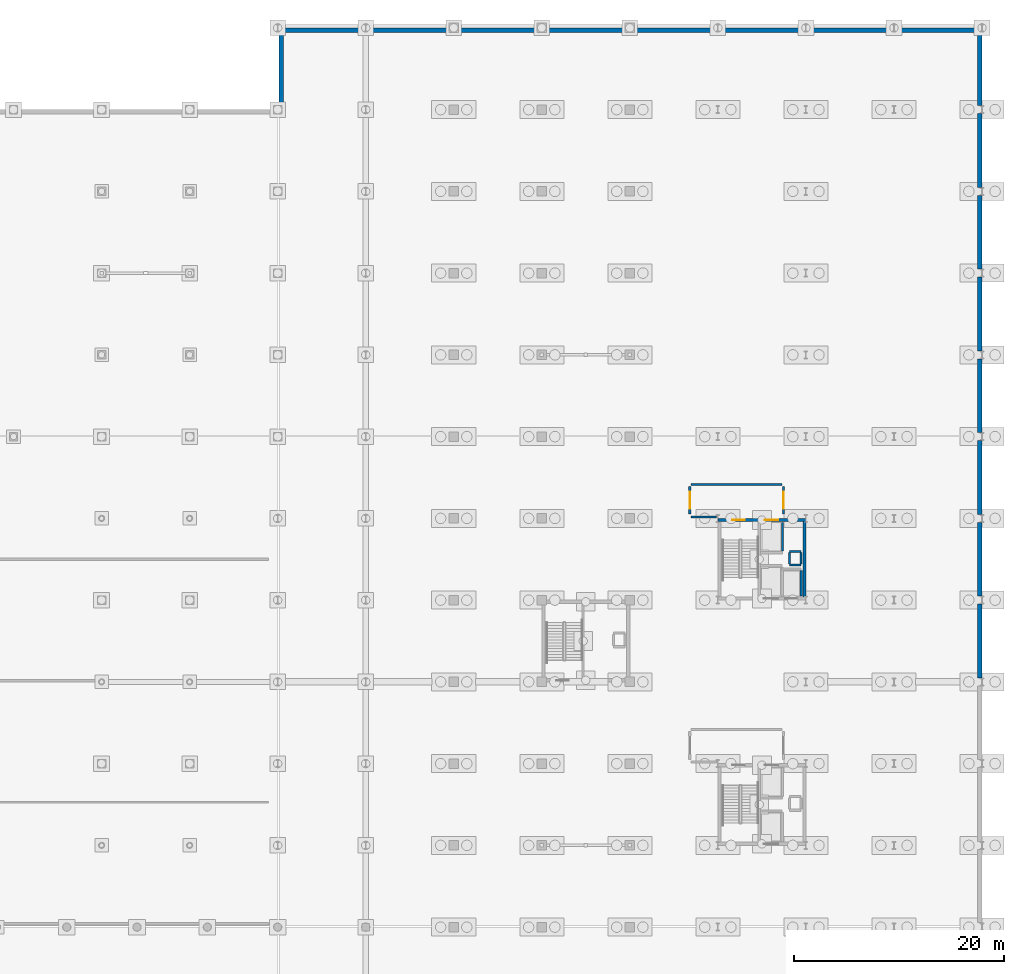
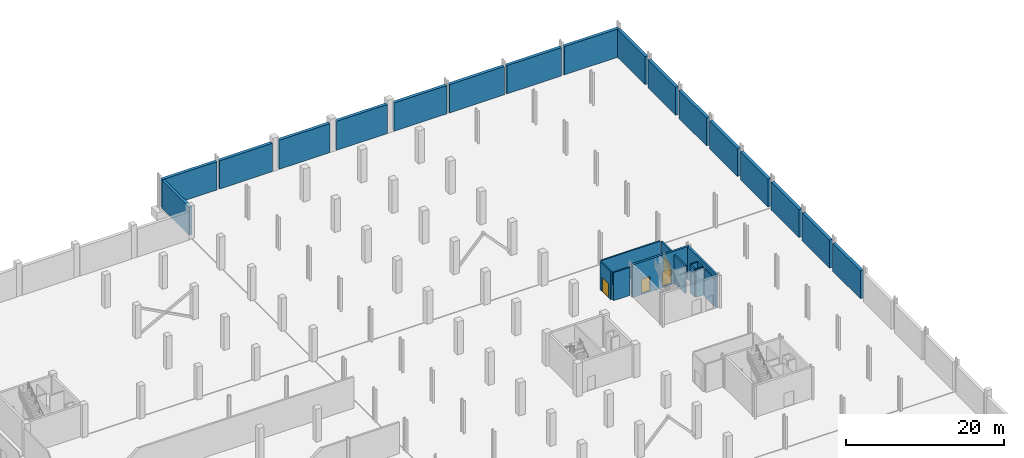
# One storey, part 34 of 48: 29 walls, 4 doors, 4 openings.
"""IFC4 building model written with IfcOpenShell, lengths in metres."""

from ifc_helpers import new_model, si_unit, direction, frame, frame_2d, origin, place, context, subcontext, project, spatial, rectangle, extrude, material, layer, layer_set, type_object, element, fill, save


model = new_model("IFC4")

# Units and contexts
model_context = context("Model", 3, precision=1e-05, world=origin(), true_north=direction((0.0, 1.0)))
body_context = subcontext(model_context, "Body", "Model", "MODEL_VIEW")
ifc_project = project(units=[si_unit("LENGTHUNIT", "METRE"), si_unit("AREAUNIT", "SQUARE_METRE"), si_unit("VOLUMEUNIT", "CUBIC_METRE"), si_unit("PLANEANGLEUNIT", "RADIAN"), si_unit("MASSUNIT", "GRAM", prefix="KILO")], contexts=[model_context])

# Site, building, storey
site_placement = place(None, origin())
site = spatial("IfcSite", under=ifc_project, at=site_placement, CompositionType="ELEMENT")
building_placement = place(site_placement, origin())
building = spatial("IfcBuilding", under=site, at=building_placement, Name="Nabrawat Pavilion Hospital", CompositionType="ELEMENT")
storey_placement = place(building_placement, frame((0.0, 0.0, -5.10009765625)))
storey = spatial("IfcBuildingStorey", under=building, at=storey_placement, Name="B1", CompositionType="ELEMENT", Elevation=-5.10009765625)

# Walls
ifc_material_1 = material(Name="Concrete C35/45", Category="concrete")
ifc_layer_1 = layer(ifc_material_1, 0.43994140625, Name="Concrete C35/45")
ifc_layer_set_1 = layer_set([ifc_layer_1], Name="Concrete C35/45")
wall_type_1 = type_object("IfcWallType", Name="Basement Deep RC Retaining Wall 440", PredefinedType="USERDEFINED", material=ifc_layer_set_1)
wall_1_placement = place(storey_placement, frame((126.18994140625, 124.580078125, 0.0), z_axis=(0.0, 0.0, 1.0), x_axis=(1.0, 0.0, 0.0)))
element("IfcWall", 1, at=wall_1_placement, inside=storey, type_object=wall_type_1, Name="B1 Perimeter Retaining Wall 061", ObjectType="RETAININGWALL", PredefinedType="USERDEFINED", context=body_context, shape_type="SweptSolid", body=[
    extrude(rectangle(XDim=8.02001953125, YDim=0.43994140625, at=frame_2d((4.010009765625, 0.0))), origin(), (0.0, 0.0, 1.0), 4.380126953125),
])
wall_2_placement = place(storey_placement, frame((134.590087890625, 124.580078125, 0.0), z_axis=(0.0, 0.0, 1.0), x_axis=(1.0, 0.0, 0.0)))
element("IfcWall", 2, at=wall_2_placement, inside=storey, type_object=wall_type_1, Name="B1 Perimeter Retaining Wall 062", ObjectType="RETAININGWALL", PredefinedType="USERDEFINED", context=body_context, shape_type="SweptSolid", body=[
    extrude(rectangle(XDim=7.719970703125, YDim=0.43994140625, at=frame_2d((3.85986328125, 0.0))), origin(), (0.0, 0.0, 1.0), 4.380126953125),
])
wall_3_placement = place(storey_placement, frame((143.2900390625, 124.580078125, 0.0), z_axis=(0.0, 0.0, 1.0), x_axis=(1.0, 0.0, 0.0)))
element("IfcWall", 3, at=wall_3_placement, inside=storey, type_object=wall_type_1, Name="B1 Perimeter Retaining Wall 063", ObjectType="RETAININGWALL", PredefinedType="USERDEFINED", context=body_context, shape_type="SweptSolid", body=[
    extrude(rectangle(XDim=7.419921875, YDim=0.43994140625, at=frame_2d((3.7099609375, 0.0))), origin(), (0.0, 0.0, 1.0), 4.489990234375),
])
wall_4_placement = place(storey_placement, frame((151.68994140625, 124.580078125, 0.0), z_axis=(0.0, 0.0, 1.0), x_axis=(1.0, 0.0, 0.0)))
element("IfcWall", 4, at=wall_4_placement, inside=storey, type_object=wall_type_1, Name="B1 Perimeter Retaining Wall 064", ObjectType="RETAININGWALL", PredefinedType="USERDEFINED", context=body_context, shape_type="SweptSolid", body=[
    extrude(rectangle(XDim=7.420166015625, YDim=0.43994140625, at=frame_2d((3.7099609375, 0.0))), origin(), (0.0, 0.0, 1.0), 4.489990234375),
])
wall_5_placement = place(storey_placement, frame((160.090087890625, 124.580078125, 0.0), z_axis=(0.0, 0.0, 1.0), x_axis=(1.0, 0.0, 0.0)))
element("IfcWall", 5, at=wall_5_placement, inside=storey, type_object=wall_type_1, Name="B1 Perimeter Retaining Wall 065", ObjectType="RETAININGWALL", PredefinedType="USERDEFINED", context=body_context, shape_type="SweptSolid", body=[
    extrude(rectangle(XDim=7.719970703125, YDim=0.43994140625, at=frame_2d((3.85986328125, 0.0))), origin(), (0.0, 0.0, 1.0), 4.380126953125),
])
for number, where, z_axis, x_axis, name in (
    (6, (168.18994140625, 124.580078125, 0.0), (0.0, 0.0, 1.0), (1.0, 0.0, 0.0), "B1 Perimeter Retaining Wall 066"),
    (7, (176.590087890625, 124.580078125, 0.0), (0.0, 0.0, 1.0), (1.0, 0.0, 0.0), "B1 Perimeter Retaining Wall 067"),
    (8, (184.989990234375, 124.580078125, 0.0), (0.0, 0.0, 1.0), (1.0, 0.0, 0.0), "B1 Perimeter Retaining Wall 068"),
):
    element("IfcWall", number, at=place(storey_placement, frame(where, z_axis=z_axis, x_axis=x_axis)), inside=storey, type_object=wall_type_1, Name=name, ObjectType="RETAININGWALL", PredefinedType="USERDEFINED", context=body_context, shape_type="SweptSolid", body=[
        extrude(rectangle(XDim=8.02001953125, YDim=0.43994140625, at=frame_2d((4.010009765625, 0.0))), origin(), (0.0, 0.0, 1.0), 4.380126953125),
    ])
for number, where, z_axis, x_axis, name in (
    (9, (192.97998046875, 62.7900390625, 0.0), (0.0, 0.0, 1.0), (0.0, 1.0, 0.0), "B1 Perimeter Retaining Wall 077"),
    (10, (192.97998046875, 70.590087890625, 0.0), (0.0, 0.0, 1.0), (0.0, 1.0, 0.0), "B1 Perimeter Retaining Wall 078"),
    (11, (192.97998046875, 78.389892578125, 0.0), (0.0, 0.0, 1.0), (0.0, 1.0, 0.0), "B1 Perimeter Retaining Wall 079"),
    (12, (192.97998046875, 86.18994140625, 0.0), (0.0, 0.0, 1.0), (0.0, 1.0, 0.0), "B1 Perimeter Retaining Wall 080"),
    (13, (192.97998046875, 93.989990234375, 0.0), (0.0, 0.0, 1.0), (0.0, 1.0, 0.0), "B1 Perimeter Retaining Wall 081"),
    (14, (192.97998046875, 101.7900390625, 0.0), (0.0, 0.0, 1.0), (0.0, 1.0, 0.0), "B1 Perimeter Retaining Wall 082"),
    (15, (192.97998046875, 109.590087890625, 0.0), (0.0, 0.0, 1.0), (0.0, 1.0, 0.0), "B1 Perimeter Retaining Wall 083"),
):
    element("IfcWall", number, at=place(storey_placement, frame(where, z_axis=z_axis, x_axis=x_axis)), inside=storey, type_object=wall_type_1, Name=name, ObjectType="RETAININGWALL", PredefinedType="USERDEFINED", context=body_context, shape_type="SweptSolid", body=[
        extrude(rectangle(XDim=7.02001953125, YDim=0.43994140625, at=frame_2d((3.510009765625, 0.0))), origin(), (0.0, 0.0, 1.0), 4.330078125),
    ])
wall_6_placement = place(storey_placement, frame((192.97998046875, 117.389892578125, 0.0), z_axis=(0.0, 0.0, 1.0), x_axis=(0.0, 1.0, 0.0)))
element("IfcWall", 16, at=wall_6_placement, inside=storey, type_object=wall_type_1, Name="B1 Perimeter Retaining Wall 084", ObjectType="RETAININGWALL", PredefinedType="USERDEFINED", context=body_context, shape_type="SweptSolid", body=[
    extrude(rectangle(XDim=6.97021484375, YDim=0.43994140625, at=frame_2d((3.485107421875, 0.0))), origin(), (0.0, 0.0, 1.0), 4.330078125),
])
ifc_layer_2 = layer(ifc_material_1, 0.39990234375, Name="Concrete C35/45")
ifc_layer_set_2 = layer_set([ifc_layer_2], Name="Concrete C35/45")
wall_type_2 = type_object("IfcWallType", Name="Basement RC Retaining Wall 400", PredefinedType="USERDEFINED", material=ifc_layer_set_2)
wall_7_placement = place(storey_placement, frame((126.340087890625, 117.43994140625, 0.0), z_axis=(0.0, 0.0, 1.0), x_axis=(0.0, 1.0, 0.0)))
element("IfcWall", 17, at=wall_7_placement, inside=storey, type_object=wall_type_2, Name="B1 Perimeter Retaining Wall 060", ObjectType="RETAININGWALL", PredefinedType="USERDEFINED", context=body_context, shape_type="SweptSolid", body=[
    extrude(rectangle(XDim=6.920166015625, YDim=0.39990234375, at=frame_2d((3.4599609375, 0.0))), origin(), (0.0, 0.0, 1.0), 4.330078125),
])
ifc_layer_3 = layer(ifc_material_1, 0.199951171875, Name="Concrete C35/45")
ifc_layer_set_3 = layer_set([ifc_layer_3], Name="Concrete C35/45")
wall_type_3 = type_object("IfcWallType", Name="Firefighting Lobby Compartment Wall 200", PredefinedType="PARTITIONING", material=ifc_layer_set_3)
wall_8_placement = place(storey_placement, frame((165.43994140625, 78.14990234375, 0.0), z_axis=(0.0, 0.0, 1.0), x_axis=(1.0, 0.0, 0.0)))
element("IfcWall", 18, at=wall_8_placement, inside=storey, type_object=wall_type_3, Name="B1 CORE-6 Firefighting Lobby South Return Wall", PredefinedType="PARTITIONING", context=body_context, shape_type="SweptSolid", body=[
    extrude(rectangle(XDim=2.43994140625, YDim=0.199951171875, at=frame_2d((1.219970703125, 0.0))), origin(), (0.0, 0.0, 1.0), 4.330078125),
])
wall_9_placement = place(storey_placement, frame((165.43994140625, 81.25, 0.0), z_axis=(0.0, 0.0, 1.0), x_axis=(1.0, 0.0, 0.0)))
element("IfcWall", 19, at=wall_9_placement, inside=storey, type_object=wall_type_3, Name="B1 CORE-6 Firefighting Lobby North Compartment Wall", PredefinedType="PARTITIONING", context=body_context, shape_type="SweptSolid", body=[
    extrude(rectangle(XDim=8.66015625, YDim=0.199951171875, at=frame_2d((4.330078125, 0.0))), origin(), (0.0, 0.0, 1.0), 4.330078125),
])

# Wall, opening, door
wall_10_placement = place(storey_placement, frame((165.320068359375, 78.39990234375, 0.0), z_axis=(0.0, 0.0, 1.0), x_axis=(0.0, 1.0, 0.0)))
wall_10 = element("IfcWall", 20, at=wall_10_placement, inside=storey, type_object=wall_type_3, Name="B1 CORE-6 Firefighting Lobby West Compartment Wall", PredefinedType="PARTITIONING", context=body_context, shape_type="SweptSolid", body=[
    extrude(rectangle(XDim=2.650146484375, YDim=0.199951171875, at=frame_2d((1.3251953125, 0.0))), origin(), (0.0, 0.0, 1.0), 4.330078125),
])
opening_1_placement = place(wall_10_placement, frame((0.52490234375, 0.0, 0.0)))
opening_1 = element("IfcOpeningElement", 21, at=opening_1_placement, cuts=wall_10, Name="Opening D-FFL", PredefinedType="OPENING", context=body_context, shape_type="SweptSolid", body=[
    extrude(rectangle(XDim=1.60009765625, YDim=2.199951171875, at=frame_2d((0.800048828125, 1.10009765625))), frame((0.0, 0.10986328125, 0.0), z_axis=(0.0, -1.0, 0.0), x_axis=(1.0, 0.0, 0.0)), (0.0, 0.0, 1.0), 0.219970703125),
])
ifc_material_2 = material(Name="Stainless-Clad Acoustic Timber and Vision Glass", Category="wood")
door_type_1 = type_object("IfcDoorType", Name="D-FFL Firefighting Lobby Double Smoke Door 1600x2200", OperationType="NOTDEFINED", PredefinedType="DOOR", material=ifc_material_2)
door_1_placement = place(opening_1_placement, origin())
door_1 = element("IfcDoor", 22, at=door_1_placement, inside=storey, type_object=door_type_1, Name="B1 CORE-6 Firefighting Lobby West Smoke Door", OperationType="DOUBLE_DOOR_SINGLE_SWING", OverallHeight=2.199951171875, OverallWidth=1.60009765625, PredefinedType="DOOR", context=body_context, shape_type="SweptSolid", body=[
    extrude(rectangle(XDim=1.60009765625, YDim=2.199951171875, at=frame_2d((0.800048828125, 1.10009765625))), frame((0.0, 0.02490234375, 0.0), z_axis=(0.0, -1.0, 0.0), x_axis=(1.0, 0.0, 0.0)), (0.0, 0.0, 1.0), 0.050048828125),
])
fill(opening_1, door_1)

wall_11_placement = place(storey_placement, frame((174.25, 78.39990234375, 0.0), z_axis=(0.0, 0.0, 1.0), x_axis=(0.0, 1.0, 0.0)))
wall_11 = element("IfcWall", 23, at=wall_11_placement, inside=storey, type_object=wall_type_3, Name="B1 CORE-6 Firefighting Lobby East Compartment Wall", PredefinedType="PARTITIONING", context=body_context, shape_type="SweptSolid", body=[
    extrude(rectangle(XDim=2.650146484375, YDim=0.199951171875, at=frame_2d((1.3251953125, 0.0))), origin(), (0.0, 0.0, 1.0), 4.330078125),
])
opening_2_placement = place(wall_11_placement, frame((0.52490234375, 0.0, 0.0)))
opening_2 = element("IfcOpeningElement", 24, at=opening_2_placement, cuts=wall_11, Name="Opening D-FFL", PredefinedType="OPENING", context=body_context, shape_type="SweptSolid", body=[
    extrude(rectangle(XDim=1.60009765625, YDim=2.199951171875, at=frame_2d((0.800048828125, 1.10009765625))), frame((0.0, 0.10986328125, 0.0), z_axis=(0.0, -1.0, 0.0), x_axis=(1.0, 0.0, 0.0)), (0.0, 0.0, 1.0), 0.219970703125),
])
door_2_placement = place(opening_2_placement, origin())
door_2 = element("IfcDoor", 25, at=door_2_placement, inside=storey, type_object=door_type_1, Name="B1 CORE-6 Firefighting Lobby East Smoke Door", OperationType="DOUBLE_DOOR_SINGLE_SWING", OverallHeight=2.199951171875, OverallWidth=1.60009765625, PredefinedType="DOOR", context=body_context, shape_type="SweptSolid", body=[
    extrude(rectangle(XDim=1.60009765625, YDim=2.199951171875, at=frame_2d((0.800048828125, 1.10009765625))), frame((0.0, 0.02490234375, 0.0), z_axis=(0.0, -1.0, 0.0), x_axis=(1.0, 0.0, 0.0)), (0.0, 0.0, 1.0), 0.050048828125),
])
fill(opening_2, door_2)

# Walls
ifc_layer_4 = layer(ifc_material_1, 0.199951171875, Name="Concrete C35/45")
ifc_layer_set_4 = layer_set([ifc_layer_4], Name="Concrete C35/45")
wall_type_4 = type_object("IfcWallType", Name="Lift and Riser Fire Shaft Wall 200", PredefinedType="PARTITIONING", material=ifc_layer_set_4)
for number, where, z_axis, x_axis, name in (
    (26, (174.85009765625, 73.550048828125, 0.0), (0.0, 0.0, 1.0), (1.0, 0.0, 0.0), "B1 CORE-6 MEP Riser Shaft Wall S"),
    (27, (174.85009765625, 74.85009765625, 0.0), (0.0, 0.0, 1.0), (1.0, 0.0, 0.0), "B1 CORE-6 MEP Riser Shaft Wall N"),
):
    element("IfcWall", number, at=place(storey_placement, frame(where, z_axis=z_axis, x_axis=x_axis)), inside=storey, type_object=wall_type_4, Name=name, PredefinedType="PARTITIONING", context=body_context, shape_type="SweptSolid", body=[
        extrude(rectangle(XDim=1.099853515625, YDim=0.199951171875, at=frame_2d((0.5498046875, 0.0))), origin(), (0.0, 0.0, 1.0), 4.330078125),
    ])
for number, where, z_axis, x_axis, name in (
    (28, (174.85009765625, 73.669921875, 0.0), (0.0, 0.0, 1.0), (0.0, 1.0, 0.0), "B1 CORE-6 MEP Riser Shaft Wall W"),
    (29, (175.949951171875, 73.669921875, 0.0), (0.0, 0.0, 1.0), (0.0, 1.0, 0.0), "B1 CORE-6 MEP Riser Shaft Wall E"),
):
    element("IfcWall", number, at=place(storey_placement, frame(where, z_axis=z_axis, x_axis=x_axis)), inside=storey, type_object=wall_type_4, Name=name, PredefinedType="PARTITIONING", context=body_context, shape_type="SweptSolid", body=[
        extrude(rectangle(XDim=1.06005859375, YDim=0.199951171875, at=frame_2d((0.530029296875, 0.0))), origin(), (0.0, 0.0, 1.0), 4.330078125),
    ])
wall_12_placement = place(storey_placement, frame((174.179931640625, 74.8798828125, 0.0), z_axis=(0.0, 0.0, 1.0), x_axis=(0.0, 1.0, 0.0)))
element("IfcWall", 30, at=wall_12_placement, inside=storey, type_object=wall_type_4, Name="B1 Lift LF-02 Shaft East Wall", PredefinedType="PARTITIONING", context=body_context, shape_type="SweptSolid", body=[
    extrude(rectangle(XDim=2.740234375, YDim=0.199951171875, at=frame_2d((1.3701171875, 0.0))), origin(), (0.0, 0.0, 1.0), 4.330078125),
])
wall_13_placement = place(storey_placement, frame((175.9599609375, 70.580078125, 0.0), z_axis=(0.0, 0.0, 1.0), x_axis=(0.0, 1.0, 0.0)))
element("IfcWall", 31, at=wall_13_placement, inside=storey, type_object=wall_type_4, Name="B1 Lift LS-02 Shaft East Wall", PredefinedType="PARTITIONING", context=body_context, shape_type="SweptSolid", body=[
    extrude(rectangle(XDim=2.43994140625, YDim=0.199951171875, at=frame_2d((1.219970703125, 0.0))), origin(), (0.0, 0.0, 1.0), 4.330078125),
])

# Wall, openings, doors
ifc_material_3 = material(Name="Concrete C40/50", Category="concrete")
ifc_layer_5 = layer(ifc_material_3, 0.300048828125, Name="Concrete C40/50")
ifc_layer_set_5 = layer_set([ifc_layer_5], Name="Concrete C40/50")
wall_type_5 = type_object("IfcWallType", Name="Reinforced Concrete Core Shear Wall 300", PredefinedType="SHEAR", material=ifc_layer_set_5)
wall_14_placement = place(storey_placement, frame((168.0, 77.85009765625, -0.219970703125), z_axis=(0.0, 0.0, 1.0), x_axis=(1.0, 0.0, 0.0)))
wall_14 = element("IfcWall", 32, at=wall_14_placement, inside=storey, type_object=wall_type_5, Name="B1 CORE-6 North Core Shear Wall", PredefinedType="SHEAR", context=body_context, shape_type="SweptSolid", body=[
    extrude(rectangle(XDim=8.39990234375, YDim=0.300048828125, at=frame_2d((4.199951171875, 0.0))), origin(), (0.0, 0.0, 1.0), 5.070068359375),
])
opening_3_placement = place(wall_14_placement, frame((1.3798828125, 0.0, 0.219970703125)))
opening_3 = element("IfcOpeningElement", 33, at=opening_3_placement, cuts=wall_14, Name="Opening D-STAIR", PredefinedType="OPENING", context=body_context, shape_type="SweptSolid", body=[
    extrude(rectangle(XDim=1.199951171875, YDim=2.14990234375, at=frame_2d((0.60009765625, 1.074951171875))), frame((0.0, 0.16015625, 0.0), z_axis=(0.0, -1.0, 0.0), x_axis=(1.0, 0.0, 0.0)), (0.0, 0.0, 1.0), 0.320068359375),
])
opening_4_placement = place(wall_14_placement, frame((4.449951171875, 0.0, 0.219970703125)))
opening_4 = element("IfcOpeningElement", 34, at=opening_4_placement, cuts=wall_14, Name="Opening LD-LF-02", PredefinedType="OPENING", context=body_context, shape_type="SweptSolid", body=[
    extrude(rectangle(XDim=1.300048828125, YDim=2.199951171875, at=frame_2d((0.64990234375, 1.10009765625))), frame((0.0, 0.16015625, 0.0), z_axis=(0.0, -1.0, 0.0), x_axis=(1.0, 0.0, 0.0)), (0.0, 0.0, 1.0), 0.320068359375),
])
door_type_2 = type_object("IfcDoorType", Name="D-STAIR Exit Stair Fire Door 1200x2150", OperationType="NOTDEFINED", PredefinedType="DOOR", material=ifc_material_2)
door_3_placement = place(opening_3_placement, origin())
door_3 = element("IfcDoor", 35, at=door_3_placement, inside=storey, type_object=door_type_2, Name="B1 ST-06 Fire Exit Stair Door", OperationType="SINGLE_SWING_LEFT", OverallHeight=2.14990234375, OverallWidth=1.199951171875, PredefinedType="DOOR", context=body_context, shape_type="SweptSolid", body=[
    extrude(rectangle(XDim=1.199951171875, YDim=2.14990234375, at=frame_2d((0.60009765625, 1.074951171875))), frame((0.0, 0.02490234375, 0.0), z_axis=(0.0, -1.0, 0.0), x_axis=(1.0, 0.0, 0.0)), (0.0, 0.0, 1.0), 0.050048828125),
])
fill(opening_3, door_3)
door_type_3 = type_object("IfcDoorType", Name="Firefighting Lift Sliding Landing Door 1300x2200", OperationType="DOUBLE_DOOR_SLIDING", PredefinedType="DOOR", material=ifc_material_2)
door_4_placement = place(opening_4_placement, origin())
door_4 = element("IfcDoor", 36, at=door_4_placement, inside=storey, type_object=door_type_3, Name="B1 Lift LF-02 Sliding Landing Door", OperationType="DOUBLE_DOOR_SLIDING", OverallHeight=2.199951171875, OverallWidth=1.300048828125, PredefinedType="DOOR", context=body_context, shape_type="SweptSolid", body=[
    extrude(rectangle(XDim=1.300048828125, YDim=2.199951171875, at=frame_2d((0.64990234375, 1.10009765625))), frame((0.0, 0.02490234375, 0.0), z_axis=(0.0, -1.0, 0.0), x_axis=(1.0, 0.0, 0.0)), (0.0, 0.0, 1.0), 0.050048828125),
])
fill(opening_4, door_4)

# Wall
wall_15_placement = place(storey_placement, frame((176.25, 70.5, -0.219970703125), z_axis=(0.0, 0.0, 1.0), x_axis=(0.0, 1.0, 0.0)))
element("IfcWall", 37, at=wall_15_placement, inside=storey, type_object=wall_type_5, Name="B1 CORE-6 East Core Shear Wall", PredefinedType="SHEAR", context=body_context, shape_type="SweptSolid", body=[
    extrude(rectangle(XDim=7.199951171875, YDim=0.300048828125, at=frame_2d((3.60009765625, 0.0))), origin(), (0.0, 0.0, 1.0), 5.070068359375),
])

save(model, "model.ifc")
